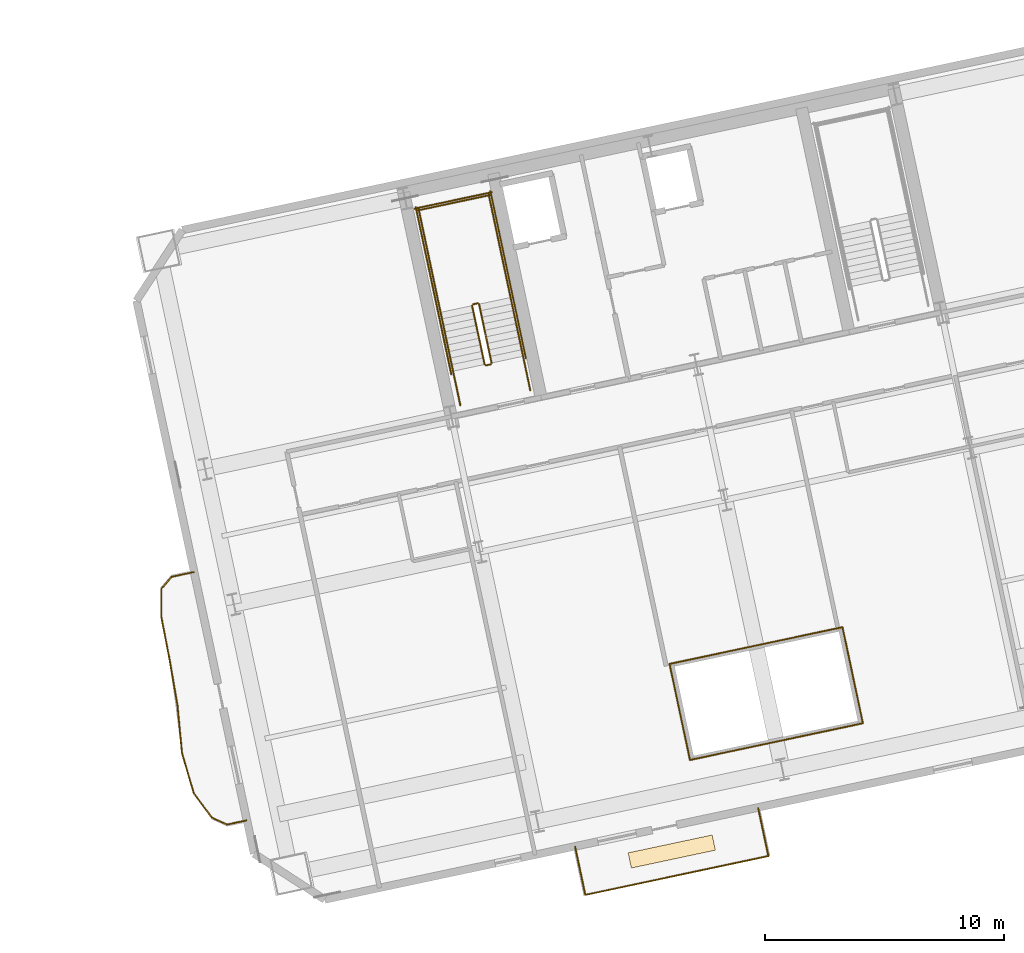
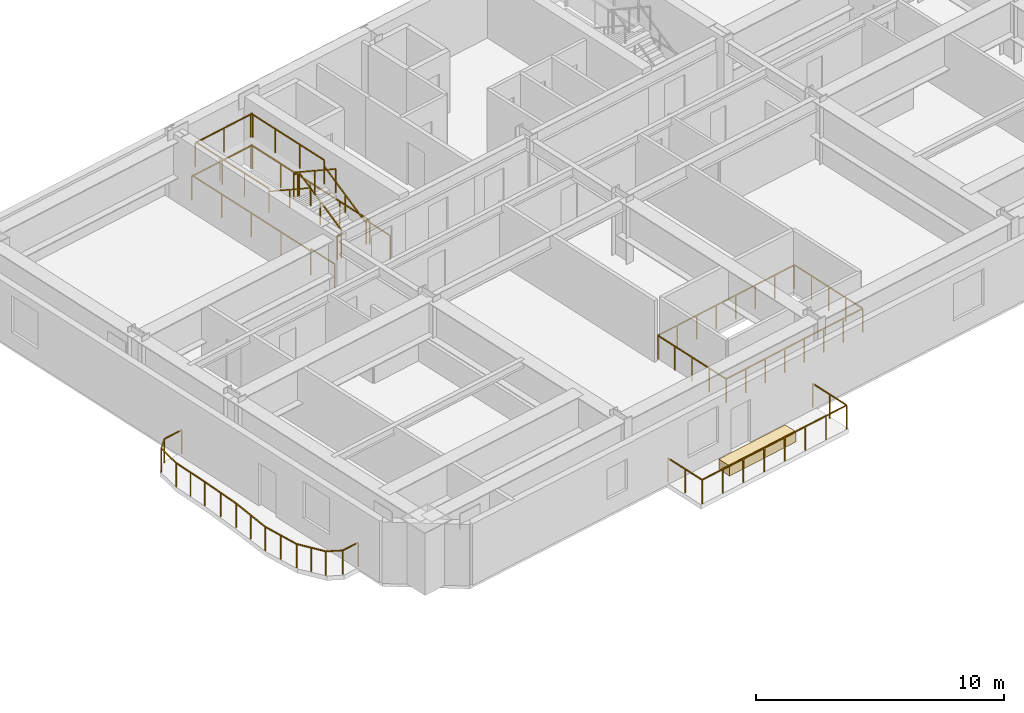
# One storey, part 15 of 16: 31 railings, 1 covering.
"""IFC4 building model written with IfcOpenShell, lengths in metres."""

from ifc_helpers import new_model, si_unit, direction, frame, origin, origin_2d, place, context, subcontext, project, spatial, rectangle, extrude, material, layer, layer_set, type_object, element, save


model = new_model("IFC4")

# Units and contexts
model_context = context("Model", 3, precision=1e-05, world=origin(), true_north=direction((0.0, 1.0)))
body_context = subcontext(model_context, "Body", "Model", "MODEL_VIEW")
ifc_project = project(units=[si_unit("LENGTHUNIT", "METRE"), si_unit("AREAUNIT", "SQUARE_METRE"), si_unit("VOLUMEUNIT", "CUBIC_METRE"), si_unit("PLANEANGLEUNIT", "RADIAN"), si_unit("MASSUNIT", "GRAM", prefix="KILO")], contexts=[model_context])

# Site, building, storey
site_placement = place(None, origin())
site = spatial("IfcSite", under=ifc_project, at=site_placement, CompositionType="ELEMENT")
building_placement = place(site_placement, origin())
building = spatial("IfcBuilding", under=site, at=building_placement, Name="Haevon Station Towers", CompositionType="ELEMENT")
storey_placement = place(building_placement, frame((0.0, 0.0, 90.0)))
storey = spatial("IfcBuildingStorey", under=building, at=storey_placement, Name="L23", CompositionType="ELEMENT", Elevation=90.0)

# Railings
ifc_material_1 = material(Name="Steel S355", Category="steel")
railing_type_1 = type_object("IfcRailingType", Name="BAL-ATR1200", PredefinedType="BALUSTRADE", material=ifc_material_1)
railing_1_placement = place(storey_placement, frame((108.758544921875, 23.050048828125, 0.0)))
element("IfcRailing", 1, at=railing_1_placement, inside=storey, type_object=railing_type_1, Name="L23 Atrium Void Balustrade 1", PredefinedType="BALUSTRADE", context=body_context, shape_type="SweptSolid", body=[
    extrude(rectangle(XDim=0.048095703125, YDim=0.048095703125, at=origin_2d()), frame((0.0, 0.0, 1.17578125), z_axis=(0.978148717371, 0.207906437384, 0.0), x_axis=(-0.207906437384, 0.978148717371, 0.0)), (0.0, 0.0, 1.0), 7.40966796875),
    extrude(rectangle(XDim=0.0419921875, YDim=0.0419921875, at=origin_2d()), origin(), (0.0, 0.0, 1.0), 1.15185546875),
    extrude(rectangle(XDim=0.0419921875, YDim=0.0419921875, at=origin_2d()), frame((1.035400390625, 0.219970703125, 0.0)), (0.0, 0.0, 1.0), 1.15185546875),
    extrude(rectangle(XDim=0.0419921875, YDim=0.0419921875, at=origin_2d()), frame((2.07080078125, 0.440185546875, 0.0)), (0.0, 0.0, 1.0), 1.15185546875),
    extrude(rectangle(XDim=0.0419921875, YDim=0.0419921875, at=origin_2d()), frame((3.106201171875, 0.66015625, 0.0)), (0.0, 0.0, 1.0), 1.15185546875),
    extrude(rectangle(XDim=0.0419921875, YDim=0.0419921875, at=origin_2d()), frame((4.1416015625, 0.88037109375, 0.0)), (0.0, 0.0, 1.0), 1.15185546875),
    extrude(rectangle(XDim=0.0419921875, YDim=0.0419921875, at=origin_2d()), frame((5.177001953125, 1.100341796875, 0.0)), (0.0, 0.0, 1.0), 1.15185546875),
    extrude(rectangle(XDim=0.0419921875, YDim=0.0419921875, at=origin_2d()), frame((6.21240234375, 1.320556640625, 0.0)), (0.0, 0.0, 1.0), 1.15185546875),
    extrude(rectangle(XDim=0.0419921875, YDim=0.0419921875, at=origin_2d()), frame((7.247802734375, 1.54052734375, 0.0)), (0.0, 0.0, 1.0), 1.15185546875),
])
railing_2_placement = place(storey_placement, frame((116.00634765625, 24.590576171875, 0.0)))
element("IfcRailing", 2, at=railing_2_placement, inside=storey, type_object=railing_type_1, Name="L23 Atrium Void Balustrade 2", PredefinedType="BALUSTRADE", context=body_context, shape_type="SweptSolid", body=[
    extrude(rectangle(XDim=0.048095703125, YDim=0.048095703125, at=origin_2d()), frame((0.0, 0.0, 1.17578125), z_axis=(-0.207928976297, 0.978143926432, 0.0), x_axis=(-0.978143926432, -0.207928976297, 0.0)), (0.0, 0.0, 1.0), 4.11669921875),
    extrude(rectangle(XDim=0.0419921875, YDim=0.0419921875, at=origin_2d()), origin(), (0.0, 0.0, 1.0), 1.15185546875),
    extrude(rectangle(XDim=0.0419921875, YDim=0.0419921875, at=origin_2d()), frame((-0.2138671875, 1.006591796875, 0.0)), (0.0, 0.0, 1.0), 1.15185546875),
    extrude(rectangle(XDim=0.0419921875, YDim=0.0419921875, at=origin_2d()), frame((-0.427978515625, 2.01318359375, 0.0)), (0.0, 0.0, 1.0), 1.15185546875),
    extrude(rectangle(XDim=0.0419921875, YDim=0.0419921875, at=origin_2d()), frame((-0.64208984375, 3.02001953125, 0.0)), (0.0, 0.0, 1.0), 1.15185546875),
    extrude(rectangle(XDim=0.0419921875, YDim=0.0419921875, at=origin_2d()), frame((-0.85595703125, 4.026611328125, 0.0)), (0.0, 0.0, 1.0), 1.15185546875),
])
railing_3_placement = place(storey_placement, frame((115.150390625, 28.6171875, 0.0)))
element("IfcRailing", 3, at=railing_3_placement, inside=storey, type_object=railing_type_1, Name="L23 Atrium Void Balustrade 3", PredefinedType="BALUSTRADE", context=body_context, shape_type="SweptSolid", body=[
    extrude(rectangle(XDim=0.048095703125, YDim=0.048095703125, at=origin_2d()), frame((0.0, 0.0, 1.17578125), z_axis=(-0.978148717371, -0.207906437384, 0.0), x_axis=(0.207906437384, -0.978148717371, 0.0)), (0.0, 0.0, 1.0), 7.40966796875),
    extrude(rectangle(XDim=0.0419921875, YDim=0.0419921875, at=origin_2d()), origin(), (0.0, 0.0, 1.0), 1.15185546875),
    extrude(rectangle(XDim=0.0419921875, YDim=0.0419921875, at=origin_2d()), frame((-1.035400390625, -0.219970703125, 0.0)), (0.0, 0.0, 1.0), 1.15185546875),
    extrude(rectangle(XDim=0.0419921875, YDim=0.0419921875, at=origin_2d()), frame((-2.07080078125, -0.440185546875, 0.0)), (0.0, 0.0, 1.0), 1.15185546875),
    extrude(rectangle(XDim=0.0419921875, YDim=0.0419921875, at=origin_2d()), frame((-3.106201171875, -0.66015625, 0.0)), (0.0, 0.0, 1.0), 1.15185546875),
    extrude(rectangle(XDim=0.0419921875, YDim=0.0419921875, at=origin_2d()), frame((-4.1416015625, -0.88037109375, 0.0)), (0.0, 0.0, 1.0), 1.15185546875),
    extrude(rectangle(XDim=0.0419921875, YDim=0.0419921875, at=origin_2d()), frame((-5.177001953125, -1.100341796875, 0.0)), (0.0, 0.0, 1.0), 1.15185546875),
    extrude(rectangle(XDim=0.0419921875, YDim=0.0419921875, at=origin_2d()), frame((-6.21240234375, -1.320556640625, 0.0)), (0.0, 0.0, 1.0), 1.15185546875),
    extrude(rectangle(XDim=0.0419921875, YDim=0.0419921875, at=origin_2d()), frame((-7.247802734375, -1.54052734375, 0.0)), (0.0, 0.0, 1.0), 1.15185546875),
])
railing_4_placement = place(storey_placement, frame((107.902587890625, 27.07666015625, 0.0)))
element("IfcRailing", 4, at=railing_4_placement, inside=storey, type_object=railing_type_1, Name="L23 Atrium Void Balustrade 4", PredefinedType="BALUSTRADE", context=body_context, shape_type="SweptSolid", body=[
    extrude(rectangle(XDim=0.048095703125, YDim=0.048095703125, at=origin_2d()), frame((0.0, 0.0, 1.17578125), z_axis=(0.207928976297, -0.978143926432, 0.0), x_axis=(0.978143926432, 0.207928976297, 0.0)), (0.0, 0.0, 1.0), 4.11669921875),
    extrude(rectangle(XDim=0.0419921875, YDim=0.0419921875, at=origin_2d()), origin(), (0.0, 0.0, 1.0), 1.15185546875),
    extrude(rectangle(XDim=0.0419921875, YDim=0.0419921875, at=origin_2d()), frame((0.2138671875, -1.006591796875, 0.0)), (0.0, 0.0, 1.0), 1.15185546875),
    extrude(rectangle(XDim=0.0419921875, YDim=0.0419921875, at=origin_2d()), frame((0.427978515625, -2.01318359375, 0.0)), (0.0, 0.0, 1.0), 1.15185546875),
    extrude(rectangle(XDim=0.0419921875, YDim=0.0419921875, at=origin_2d()), frame((0.64208984375, -3.02001953125, 0.0)), (0.0, 0.0, 1.0), 1.15185546875),
    extrude(rectangle(XDim=0.0419921875, YDim=0.0419921875, at=origin_2d()), frame((0.85595703125, -4.026611328125, 0.0)), (0.0, 0.0, 1.0), 1.15185546875),
])
railing_type_2 = type_object("IfcRailingType", Name="GRD-EXT1200", PredefinedType="GUARDRAIL", material=ifc_material_1)
railing_5_placement = place(storey_placement, frame((87.947509765625, 30.92578125, 0.0)))
element("IfcRailing", 5, at=railing_5_placement, inside=storey, type_object=railing_type_2, Name="L23 Perimeter Guardrail 1", PredefinedType="GUARDRAIL", context=body_context, shape_type="SweptSolid", body=[
    extrude(rectangle(XDim=0.048095703125, YDim=0.048095703125, at=origin_2d()), frame((0.0, 0.0, 1.17578125), z_axis=(-0.977684892297, -0.210076774952, 0.0), x_axis=(0.210076774952, -0.977684892297, 0.0)), (0.0, 0.0, 1.0), 0.943603515625),
    extrude(rectangle(XDim=0.0419921875, YDim=0.0419921875, at=origin_2d()), origin(), (0.0, 0.0, 1.0), 1.15185546875),
    extrude(rectangle(XDim=0.0419921875, YDim=0.0419921875, at=origin_2d()), frame((-0.922607421875, -0.1982421875, 0.0)), (0.0, 0.0, 1.0), 1.15185546875),
])
railing_6_placement = place(storey_placement, frame((87.02490234375, 30.7275390625, 0.0)))
element("IfcRailing", 6, at=railing_6_placement, inside=storey, type_object=railing_type_2, Name="L23 Perimeter Guardrail 2", PredefinedType="GUARDRAIL", context=body_context, shape_type="SweptSolid", body=[
    extrude(rectangle(XDim=0.048095703125, YDim=0.048095703125, at=origin_2d()), frame((0.0, 0.0, 1.17578125), z_axis=(-0.647469407295, -0.762091442424, 0.0), x_axis=(0.762091442424, -0.647469407295, 0.0)), (0.0, 0.0, 1.0), 0.673095703125),
    extrude(rectangle(XDim=0.0419921875, YDim=0.0419921875, at=origin_2d()), origin(), (0.0, 0.0, 1.0), 1.15185546875),
    extrude(rectangle(XDim=0.0419921875, YDim=0.0419921875, at=origin_2d()), frame((-0.435791015625, -0.512939453125, 0.0)), (0.0, 0.0, 1.0), 1.15185546875),
])
railing_7_placement = place(storey_placement, frame((86.589111328125, 30.214599609375, 0.0)))
element("IfcRailing", 7, at=railing_7_placement, inside=storey, type_object=railing_type_2, Name="L23 Perimeter Guardrail 3", PredefinedType="GUARDRAIL", context=body_context, shape_type="SweptSolid", body=[
    extrude(rectangle(XDim=0.048095703125, YDim=0.048095703125, at=origin_2d()), frame((0.0, 0.0, 1.17578125), z_axis=(0.008178013163, -0.999966559491, 0.0), x_axis=(0.999966559491, 0.008178013163, 0.0)), (0.0, 0.0, 1.0), 1.194091796875),
    extrude(rectangle(XDim=0.0419921875, YDim=0.0419921875, at=origin_2d()), origin(), (0.0, 0.0, 1.0), 1.15185546875),
    extrude(rectangle(XDim=0.0419921875, YDim=0.0419921875, at=origin_2d()), frame((0.009765625, -1.194091796875, 0.0)), (0.0, 0.0, 1.0), 1.15185546875),
])
railing_8_placement = place(storey_placement, frame((86.598876953125, 29.0205078125, 0.0)))
element("IfcRailing", 8, at=railing_8_placement, inside=storey, type_object=railing_type_2, Name="L23 Perimeter Guardrail 4", PredefinedType="GUARDRAIL", context=body_context, shape_type="SweptSolid", body=[
    extrude(rectangle(XDim=0.048095703125, YDim=0.048095703125, at=origin_2d()), frame((0.0, 0.0, 1.17578125), z_axis=(0.190641955545, -0.981659637953, 0.0), x_axis=(0.981659637953, 0.190641955545, 0.0)), (0.0, 0.0, 1.0), 1.750732421875),
    extrude(rectangle(XDim=0.0419921875, YDim=0.0419921875, at=origin_2d()), origin(), (0.0, 0.0, 1.0), 1.15185546875),
    extrude(rectangle(XDim=0.0419921875, YDim=0.0419921875, at=origin_2d()), frame((0.1669921875, -0.859375, 0.0)), (0.0, 0.0, 1.0), 1.15185546875),
    extrude(rectangle(XDim=0.0419921875, YDim=0.0419921875, at=origin_2d()), frame((0.333740234375, -1.718505859375, 0.0)), (0.0, 0.0, 1.0), 1.15185546875),
])
railing_9_placement = place(storey_placement, frame((86.9326171875, 27.302001953125, 0.0)))
element("IfcRailing", 9, at=railing_9_placement, inside=storey, type_object=railing_type_2, Name="L23 Perimeter Guardrail 5", PredefinedType="GUARDRAIL", context=body_context, shape_type="SweptSolid", body=[
    extrude(rectangle(XDim=0.048095703125, YDim=0.048095703125, at=origin_2d()), frame((0.0, 0.0, 1.17578125), z_axis=(0.170523108989, -0.985353677266, 0.0), x_axis=(0.985353677266, 0.170523108989, 0.0)), (0.0, 0.0, 1.0), 1.989990234375),
    extrude(rectangle(XDim=0.0419921875, YDim=0.0419921875, at=origin_2d()), origin(), (0.0, 0.0, 1.0), 1.15185546875),
    extrude(rectangle(XDim=0.0419921875, YDim=0.0419921875, at=origin_2d()), frame((0.169677734375, -0.98046875, 0.0)), (0.0, 0.0, 1.0), 1.15185546875),
    extrude(rectangle(XDim=0.0419921875, YDim=0.0419921875, at=origin_2d()), frame((0.33935546875, -1.9609375, 0.0)), (0.0, 0.0, 1.0), 1.15185546875),
])
railing_10_placement = place(storey_placement, frame((87.27197265625, 25.341064453125, 0.0)))
element("IfcRailing", 10, at=railing_10_placement, inside=storey, type_object=railing_type_2, Name="L23 Perimeter Guardrail 6", PredefinedType="GUARDRAIL", context=body_context, shape_type="SweptSolid", body=[
    extrude(rectangle(XDim=0.048095703125, YDim=0.048095703125, at=origin_2d()), frame((0.0, 0.0, 1.17578125), z_axis=(0.094113855165, -0.995561440729, 0.0), x_axis=(0.995561440729, 0.094113855165, 0.0)), (0.0, 0.0, 1.0), 2.005126953125),
    extrude(rectangle(XDim=0.0419921875, YDim=0.0419921875, at=origin_2d()), origin(), (0.0, 0.0, 1.0), 1.15185546875),
    extrude(rectangle(XDim=0.0419921875, YDim=0.0419921875, at=origin_2d()), frame((0.09423828125, -0.998046875, 0.0)), (0.0, 0.0, 1.0), 1.15185546875),
    extrude(rectangle(XDim=0.0419921875, YDim=0.0419921875, at=origin_2d()), frame((0.188720703125, -1.996337890625, 0.0)), (0.0, 0.0, 1.0), 1.15185546875),
])
railing_11_placement = place(storey_placement, frame((87.460693359375, 23.3447265625, 0.0)))
element("IfcRailing", 11, at=railing_11_placement, inside=storey, type_object=railing_type_2, Name="L23 Perimeter Guardrail 7", PredefinedType="GUARDRAIL", context=body_context, shape_type="SweptSolid", body=[
    extrude(rectangle(XDim=0.048095703125, YDim=0.048095703125, at=origin_2d()), frame((0.0, 0.0, 1.17578125), z_axis=(0.280310277148, -0.959909448086, 0.0), x_axis=(0.959909448086, 0.280310277148, 0.0)), (0.0, 0.0, 1.0), 1.75244140625),
    extrude(rectangle(XDim=0.0419921875, YDim=0.0419921875, at=origin_2d()), origin(), (0.0, 0.0, 1.0), 1.15185546875),
    extrude(rectangle(XDim=0.0419921875, YDim=0.0419921875, at=origin_2d()), frame((0.24560546875, -0.841064453125, 0.0)), (0.0, 0.0, 1.0), 1.15185546875),
    extrude(rectangle(XDim=0.0419921875, YDim=0.0419921875, at=origin_2d()), frame((0.4912109375, -1.68212890625, 0.0)), (0.0, 0.0, 1.0), 1.15185546875),
])
railing_12_placement = place(storey_placement, frame((87.951904296875, 21.66259765625, 0.0)))
element("IfcRailing", 12, at=railing_12_placement, inside=storey, type_object=railing_type_2, Name="L23 Perimeter Guardrail 8", PredefinedType="GUARDRAIL", context=body_context, shape_type="SweptSolid", body=[
    extrude(rectangle(XDim=0.048095703125, YDim=0.048095703125, at=origin_2d()), frame((0.0, 0.0, 1.17578125), z_axis=(0.5940543794, -0.804424884197, 0.0), x_axis=(0.804424884197, 0.5940543794, 0.0)), (0.0, 0.0, 1.0), 1.28466796875),
    extrude(rectangle(XDim=0.0419921875, YDim=0.0419921875, at=origin_2d()), origin(), (0.0, 0.0, 1.0), 1.15185546875),
    extrude(rectangle(XDim=0.0419921875, YDim=0.0419921875, at=origin_2d()), frame((0.381591796875, -0.5166015625, 0.0)), (0.0, 0.0, 1.0), 1.15185546875),
    extrude(rectangle(XDim=0.0419921875, YDim=0.0419921875, at=origin_2d()), frame((0.76318359375, -1.033447265625, 0.0)), (0.0, 0.0, 1.0), 1.15185546875),
])
railing_13_placement = place(storey_placement, frame((88.715087890625, 20.629150390625, 0.0)))
element("IfcRailing", 13, at=railing_13_placement, inside=storey, type_object=railing_type_2, Name="L23 Perimeter Guardrail 9", PredefinedType="GUARDRAIL", context=body_context, shape_type="SweptSolid", body=[
    extrude(rectangle(XDim=0.048095703125, YDim=0.048095703125, at=origin_2d()), frame((0.0, 0.0, 1.17578125), z_axis=(0.908560452595, -0.41775340092, 0.0), x_axis=(0.41775340092, 0.908560452595, 0.0)), (0.0, 0.0, 1.0), 0.6884765625),
    extrude(rectangle(XDim=0.0419921875, YDim=0.0419921875, at=origin_2d()), origin(), (0.0, 0.0, 1.0), 1.15185546875),
    extrude(rectangle(XDim=0.0419921875, YDim=0.0419921875, at=origin_2d()), frame((0.62548828125, -0.28759765625, 0.0)), (0.0, 0.0, 1.0), 1.15185546875),
])
railing_14_placement = place(storey_placement, frame((89.340576171875, 20.341552734375, 0.0)))
element("IfcRailing", 14, at=railing_14_placement, inside=storey, type_object=railing_type_2, Name="L23 Perimeter Guardrail 10", PredefinedType="GUARDRAIL", context=body_context, shape_type="SweptSolid", body=[
    extrude(rectangle(XDim=0.048095703125, YDim=0.048095703125, at=origin_2d()), frame((0.0, 0.0, 1.17578125), z_axis=(0.978617737227, 0.20568744343, 0.0), x_axis=(-0.20568744343, 0.978617737227, 0.0)), (0.0, 0.0, 1.0), 0.837890625),
    extrude(rectangle(XDim=0.0419921875, YDim=0.0419921875, at=origin_2d()), origin(), (0.0, 0.0, 1.0), 1.15185546875),
    extrude(rectangle(XDim=0.0419921875, YDim=0.0419921875, at=origin_2d()), frame((0.820068359375, 0.17236328125, 0.0)), (0.0, 0.0, 1.0), 1.15185546875),
])
railing_15_placement = place(storey_placement, frame((104.37109375, 17.392822265625, 0.0)))
element("IfcRailing", 15, at=railing_15_placement, inside=storey, type_object=railing_type_2, Name="L23 Perimeter Guardrail 1", PredefinedType="GUARDRAIL", context=body_context, shape_type="SweptSolid", body=[
    extrude(rectangle(XDim=0.048095703125, YDim=0.048095703125, at=origin_2d()), frame((0.0, 0.0, 1.17578125), z_axis=(0.978148093399, 0.207909372996, 0.0), x_axis=(-0.207909372996, 0.978148093399, 0.0)), (0.0, 0.0, 1.0), 7.84521484375),
    extrude(rectangle(XDim=0.0419921875, YDim=0.0419921875, at=origin_2d()), origin(), (0.0, 0.0, 1.0), 1.15185546875),
    extrude(rectangle(XDim=0.0419921875, YDim=0.0419921875, at=origin_2d()), frame((1.09619140625, 0.23291015625, 0.0)), (0.0, 0.0, 1.0), 1.15185546875),
    extrude(rectangle(XDim=0.0419921875, YDim=0.0419921875, at=origin_2d()), frame((2.192626953125, 0.466064453125, 0.0)), (0.0, 0.0, 1.0), 1.15185546875),
    extrude(rectangle(XDim=0.0419921875, YDim=0.0419921875, at=origin_2d()), frame((3.288818359375, 0.698974609375, 0.0)), (0.0, 0.0, 1.0), 1.15185546875),
    extrude(rectangle(XDim=0.0419921875, YDim=0.0419921875, at=origin_2d()), frame((4.385009765625, 0.93212890625, 0.0)), (0.0, 0.0, 1.0), 1.15185546875),
    extrude(rectangle(XDim=0.0419921875, YDim=0.0419921875, at=origin_2d()), frame((5.481201171875, 1.1650390625, 0.0)), (0.0, 0.0, 1.0), 1.15185546875),
    extrude(rectangle(XDim=0.0419921875, YDim=0.0419921875, at=origin_2d()), frame((6.57763671875, 1.398193359375, 0.0)), (0.0, 0.0, 1.0), 1.15185546875),
    extrude(rectangle(XDim=0.0419921875, YDim=0.0419921875, at=origin_2d()), frame((7.673828125, 1.631103515625, 0.0)), (0.0, 0.0, 1.0), 1.15185546875),
])
railing_16_placement = place(storey_placement, frame((112.044921875, 19.02392578125, 0.0)))
element("IfcRailing", 16, at=railing_16_placement, inside=storey, type_object=railing_type_2, Name="L23 Perimeter Guardrail 2", PredefinedType="GUARDRAIL", context=body_context, shape_type="SweptSolid", body=[
    extrude(rectangle(XDim=0.048095703125, YDim=0.048095703125, at=origin_2d()), frame((0.0, 0.0, 1.17578125), z_axis=(-0.207962507169, 0.978136798005, 0.0), x_axis=(-0.978136798005, -0.207962507169, 0.0)), (0.0, 0.0, 1.0), 2.054443359375),
    extrude(rectangle(XDim=0.0419921875, YDim=0.0419921875, at=origin_2d()), origin(), (0.0, 0.0, 1.0), 1.15185546875),
    extrude(rectangle(XDim=0.0419921875, YDim=0.0419921875, at=origin_2d()), frame((-0.213623046875, 1.0048828125, 0.0)), (0.0, 0.0, 1.0), 1.15185546875),
    extrude(rectangle(XDim=0.0419921875, YDim=0.0419921875, at=origin_2d()), frame((-0.42724609375, 2.009521484375, 0.0)), (0.0, 0.0, 1.0), 1.15185546875),
])
railing_17_placement = place(storey_placement, frame((103.94384765625, 19.40234375, 0.0)))
element("IfcRailing", 17, at=railing_17_placement, inside=storey, type_object=railing_type_2, Name="L23 Perimeter Guardrail 3", PredefinedType="GUARDRAIL", context=body_context, shape_type="SweptSolid", body=[
    extrude(rectangle(XDim=0.048095703125, YDim=0.048095703125, at=origin_2d()), frame((0.0, 0.0, 1.17578125), z_axis=(0.207962507169, -0.978136798005, 0.0), x_axis=(0.978136798005, 0.207962507169, 0.0)), (0.0, 0.0, 1.0), 2.054443359375),
    extrude(rectangle(XDim=0.0419921875, YDim=0.0419921875, at=origin_2d()), origin(), (0.0, 0.0, 1.0), 1.15185546875),
    extrude(rectangle(XDim=0.0419921875, YDim=0.0419921875, at=origin_2d()), frame((0.213623046875, -1.0048828125, 0.0)), (0.0, 0.0, 1.0), 1.15185546875),
    extrude(rectangle(XDim=0.0419921875, YDim=0.0419921875, at=origin_2d()), frame((0.42724609375, -2.009521484375, 0.0)), (0.0, 0.0, 1.0), 1.15185546875),
])
railing_type_3 = type_object("IfcRailingType", Name="GRD-STR1200", PredefinedType="GUARDRAIL", material=ifc_material_1)
railing_18_placement = place(storey_placement, frame((100.44140625, 39.69287109375, 0.1650390625)))
element("IfcRailing", 18, at=railing_18_placement, inside=storey, type_object=railing_type_3, Name="L23 ST3 Stair Guard 1", PredefinedType="GUARDRAIL", context=body_context, shape_type="SweptSolid", body=[
    extrude(rectangle(XDim=0.048095703125, YDim=0.048095703125, at=origin_2d()), frame((0.0, 0.0, 1.17578125), z_axis=(-0.179128856099, 0.842723639875, 0.507670877349), x_axis=(-0.978147030254, -0.207914374695, 0.0)), (0.0, 0.0, 1.0), 2.9248046875),
    extrude(rectangle(XDim=0.0419921875, YDim=0.0419921875, at=origin_2d()), origin(), (0.0, 0.0, 1.0), 1.15185546875),
    extrude(rectangle(XDim=0.0419921875, YDim=0.0419921875, at=origin_2d()), frame((-0.261962890625, 1.232421875, 0.742431640625)), (0.0, 0.0, 1.0), 1.15185546875),
    extrude(rectangle(XDim=0.0419921875, YDim=0.0419921875, at=origin_2d()), frame((-0.52392578125, 2.46484375, 1.48486328125)), (0.0, 0.0, 1.0), 1.15185546875),
])
railing_19_placement = place(storey_placement, frame((99.858154296875, 42.1962890625, 1.64990234375)))
element("IfcRailing", 19, at=railing_19_placement, inside=storey, type_object=railing_type_3, Name="L23 ST3 Stair Guard 2", PredefinedType="GUARDRAIL", context=body_context, shape_type="SweptSolid", body=[
    extrude(rectangle(XDim=0.048095703125, YDim=0.048095703125, at=origin_2d()), frame((0.0, 0.0, 1.17578125), z_axis=(-0.977962931203, -0.208778603291, 0.0), x_axis=(0.208778603291, -0.977962931203, 0.0)), (0.0, 0.0, 1.0), 0.199951171875),
    extrude(rectangle(XDim=0.0419921875, YDim=0.0419921875, at=origin_2d()), origin(), (0.0, 0.0, 1.0), 1.15185546875),
    extrude(rectangle(XDim=0.0419921875, YDim=0.0419921875, at=origin_2d()), frame((-0.195556640625, -0.041748046875, 0.0)), (0.0, 0.0, 1.0), 1.15185546875),
])
railing_20_placement = place(storey_placement, frame((101.238037109375, 42.4384765625, 1.64990234375)))
element("IfcRailing", 20, at=railing_20_placement, inside=storey, type_object=railing_type_3, Name="L23 ST3 Stair Guard 3", PredefinedType="GUARDRAIL", context=body_context, shape_type="SweptSolid", body=[
    extrude(rectangle(XDim=0.048095703125, YDim=0.048095703125, at=origin_2d()), frame((0.0, 0.0, 1.17578125), z_axis=(-0.20794048909, 0.978141479029, 0.0), x_axis=(-0.978141479029, -0.20794048909, 0.0)), (0.0, 0.0, 1.0), 4.429931640625),
    extrude(rectangle(XDim=0.0419921875, YDim=0.0419921875, at=origin_2d()), origin(), (0.0, 0.0, 1.0), 1.15185546875),
    extrude(rectangle(XDim=0.0419921875, YDim=0.0419921875, at=origin_2d()), frame((-0.30712890625, 1.4443359375, 0.0)), (0.0, 0.0, 1.0), 1.15185546875),
    extrude(rectangle(XDim=0.0419921875, YDim=0.0419921875, at=origin_2d()), frame((-0.614013671875, 2.888671875, 0.0)), (0.0, 0.0, 1.0), 1.15185546875),
    extrude(rectangle(XDim=0.0419921875, YDim=0.0419921875, at=origin_2d()), frame((-0.921142578125, 4.3330078125, 0.0)), (0.0, 0.0, 1.0), 1.15185546875),
])
railing_21_placement = place(storey_placement, frame((98.303466796875, 41.814697265625, 1.64990234375)))
element("IfcRailing", 21, at=railing_21_placement, inside=storey, type_object=railing_type_3, Name="L23 ST3 Stair Guard 4", PredefinedType="GUARDRAIL", context=body_context, shape_type="SweptSolid", body=[
    extrude(rectangle(XDim=0.048095703125, YDim=0.048095703125, at=origin_2d()), frame((0.0, 0.0, 1.17578125), z_axis=(-0.207876551949, 0.978155069071, 0.0), x_axis=(-0.978155069071, -0.207876551949, 0.0)), (0.0, 0.0, 1.0), 4.429931640625),
    extrude(rectangle(XDim=0.0419921875, YDim=0.0419921875, at=origin_2d()), origin(), (0.0, 0.0, 1.0), 1.15185546875),
    extrude(rectangle(XDim=0.0419921875, YDim=0.0419921875, at=origin_2d()), frame((-0.306884765625, 1.4443359375, 0.0)), (0.0, 0.0, 1.0), 1.15185546875),
    extrude(rectangle(XDim=0.0419921875, YDim=0.0419921875, at=origin_2d()), frame((-0.614013671875, 2.888916015625, 0.0)), (0.0, 0.0, 1.0), 1.15185546875),
    extrude(rectangle(XDim=0.0419921875, YDim=0.0419921875, at=origin_2d()), frame((-0.9208984375, 4.333251953125, 0.0)), (0.0, 0.0, 1.0), 1.15185546875),
])
railing_22_placement = place(storey_placement, frame((100.376220703125, 46.733154296875, 1.64990234375)))
element("IfcRailing", 22, at=railing_22_placement, inside=storey, type_object=railing_type_3, Name="L23 ST3 Stair Guard 5", PredefinedType="GUARDRAIL", context=body_context, shape_type="SweptSolid", body=[
    extrude(rectangle(XDim=0.048095703125, YDim=0.048095703125, at=origin_2d()), frame((0.0, 0.0, 1.17578125), z_axis=(-0.978146839882, -0.207915270313, 0.0), x_axis=(0.207915270313, -0.978146839882, 0.0)), (0.0, 0.0, 1.0), 3.099853515625),
    extrude(rectangle(XDim=0.0419921875, YDim=0.0419921875, at=origin_2d()), origin(), (0.0, 0.0, 1.0), 1.15185546875),
    extrude(rectangle(XDim=0.0419921875, YDim=0.0419921875, at=origin_2d()), frame((-1.51611328125, -0.322265625, 0.0)), (0.0, 0.0, 1.0), 1.15185546875),
    extrude(rectangle(XDim=0.0419921875, YDim=0.0419921875, at=origin_2d()), frame((-3.0322265625, -0.64453125, 0.0)), (0.0, 0.0, 1.0), 1.15185546875),
])
railing_23_placement = place(storey_placement, frame((99.6240234375, 42.09521484375, 1.81494140625)))
element("IfcRailing", 23, at=railing_23_placement, inside=storey, type_object=railing_type_3, Name="L23 ST3 Stair Guard 6", PredefinedType="GUARDRAIL", context=body_context, shape_type="SweptSolid", body=[
    extrude(rectangle(XDim=0.048095703125, YDim=0.048095703125, at=origin_2d()), frame((0.0, 0.0, 1.17578125), z_axis=(0.179121265225, -0.842687928106, 0.507732831485), x_axis=(0.978147030254, 0.207914374695, 0.0)), (0.0, 0.0, 1.0), 2.925048828125),
    extrude(rectangle(XDim=0.0419921875, YDim=0.0419921875, at=origin_2d()), origin(), (0.0, 0.0, 1.0), 1.15185546875),
    extrude(rectangle(XDim=0.0419921875, YDim=0.0419921875, at=origin_2d()), frame((0.261962890625, -1.232421875, 0.74267578125)), (0.0, 0.0, 1.0), 1.15185546875),
    extrude(rectangle(XDim=0.0419921875, YDim=0.0419921875, at=origin_2d()), frame((0.52392578125, -2.46484375, 1.485107421875)), (0.0, 0.0, 1.0), 1.15185546875),
])
railing_24_placement = place(storey_placement, frame((100.40283203125, 39.633544921875, 0.0)))
element("IfcRailing", 24, at=railing_24_placement, inside=storey, type_object=railing_type_3, Name="L23 ST3 Stair Guard 7", PredefinedType="GUARDRAIL", context=body_context, shape_type="SweptSolid", body=[
    extrude(rectangle(XDim=0.048095703125, YDim=0.048095703125, at=origin_2d()), frame((0.0, 0.0, 1.17578125), z_axis=(-0.977962931203, -0.208778603291, 0.0), x_axis=(0.208778603291, -0.977962931203, 0.0)), (0.0, 0.0, 1.0), 0.199951171875),
    extrude(rectangle(XDim=0.0419921875, YDim=0.0419921875, at=origin_2d()), origin(), (0.0, 0.0, 1.0), 1.15185546875),
    extrude(rectangle(XDim=0.0419921875, YDim=0.0419921875, at=origin_2d()), frame((-0.195556640625, -0.041748046875, 0.0)), (0.0, 0.0, 1.0), 1.15185546875),
])
for number, where, name in (
    (25, (102.0634765625, 38.55517578125, 0.0), "L23 ST3 Stair Guard 8"),
    (26, (99.12890625, 37.931396484375, 0.0), "L23 ST3 Stair Guard 9"),
):
    element("IfcRailing", number, at=place(storey_placement, frame(where)), inside=storey, type_object=railing_type_3, Name=name, PredefinedType="GUARDRAIL", context=body_context, shape_type="SweptSolid", body=[
        extrude(rectangle(XDim=0.048095703125, YDim=0.048095703125, at=origin_2d()), frame((0.0, 0.0, 1.17578125), z_axis=(-0.207953405961, 0.978138732977, 0.0), x_axis=(-0.978138732977, -0.207953405961, 0.0)), (0.0, 0.0, 1.0), 1.449951171875),
        extrude(rectangle(XDim=0.0419921875, YDim=0.0419921875, at=origin_2d()), origin(), (0.0, 0.0, 1.0), 1.15185546875),
        extrude(rectangle(XDim=0.0419921875, YDim=0.0419921875, at=origin_2d()), frame((-0.301513671875, 1.418212890625, 0.0)), (0.0, 0.0, 1.0), 1.15185546875),
    ])
railing_25_placement = place(storey_placement, frame((101.88037109375, 39.896484375, 0.0)))
element("IfcRailing", 27, at=railing_25_placement, inside=storey, type_object=railing_type_3, Name="L23 ST3 Stair Guard 10", PredefinedType="GUARDRAIL", context=body_context, shape_type="SweptSolid", body=[
    extrude(rectangle(XDim=0.048095703125, YDim=0.048095703125, at=origin_2d()), frame((0.0, 0.0, 1.17578125), z_axis=(-0.207882442208, 0.978153817261, 0.0), x_axis=(-0.978153817261, -0.207882442208, 0.0)), (0.0, 0.0, 1.0), 7.14990234375),
    extrude(rectangle(XDim=0.0419921875, YDim=0.0419921875, at=origin_2d()), origin(), (0.0, 0.0, 1.0), 1.15185546875),
    extrude(rectangle(XDim=0.0419921875, YDim=0.0419921875, at=origin_2d()), frame((-0.37158203125, 1.74853515625, 0.0)), (0.0, 0.0, 1.0), 1.15185546875),
    extrude(rectangle(XDim=0.0419921875, YDim=0.0419921875, at=origin_2d()), frame((-0.7431640625, 3.496826171875, 0.0)), (0.0, 0.0, 1.0), 1.15185546875),
    extrude(rectangle(XDim=0.0419921875, YDim=0.0419921875, at=origin_2d()), frame((-1.11474609375, 5.2451171875, 0.0)), (0.0, 0.0, 1.0), 1.15185546875),
    extrude(rectangle(XDim=0.0419921875, YDim=0.0419921875, at=origin_2d()), frame((-1.486328125, 6.99365234375, 0.0)), (0.0, 0.0, 1.0), 1.15185546875),
])
railing_26_placement = place(storey_placement, frame((98.75048828125, 39.231201171875, 0.0)))
element("IfcRailing", 28, at=railing_26_placement, inside=storey, type_object=railing_type_3, Name="L23 ST3 Stair Guard 11", PredefinedType="GUARDRAIL", context=body_context, shape_type="SweptSolid", body=[
    extrude(rectangle(XDim=0.048095703125, YDim=0.048095703125, at=origin_2d()), frame((0.0, 0.0, 1.17578125), z_axis=(-0.207915112487, 0.978146873429, 0.0), x_axis=(-0.978146873429, -0.207915112487, 0.0)), (0.0, 0.0, 1.0), 7.14990234375),
    extrude(rectangle(XDim=0.0419921875, YDim=0.0419921875, at=origin_2d()), origin(), (0.0, 0.0, 1.0), 1.15185546875),
    extrude(rectangle(XDim=0.0419921875, YDim=0.0419921875, at=origin_2d()), frame((-0.37158203125, 1.74853515625, 0.0)), (0.0, 0.0, 1.0), 1.15185546875),
    extrude(rectangle(XDim=0.0419921875, YDim=0.0419921875, at=origin_2d()), frame((-0.7431640625, 3.496826171875, 0.0)), (0.0, 0.0, 1.0), 1.15185546875),
    extrude(rectangle(XDim=0.0419921875, YDim=0.0419921875, at=origin_2d()), frame((-1.114990234375, 5.2451171875, 0.0)), (0.0, 0.0, 1.0), 1.15185546875),
    extrude(rectangle(XDim=0.0419921875, YDim=0.0419921875, at=origin_2d()), frame((-1.486572265625, 6.99365234375, 0.0)), (0.0, 0.0, 1.0), 1.15185546875),
])
railing_27_placement = place(storey_placement, frame((100.453125, 46.8515625, 0.0)))
element("IfcRailing", 29, at=railing_27_placement, inside=storey, type_object=railing_type_3, Name="L23 ST3 Stair Guard 12", PredefinedType="GUARDRAIL", context=body_context, shape_type="SweptSolid", body=[
    extrude(rectangle(XDim=0.048095703125, YDim=0.048095703125, at=origin_2d()), frame((0.0, 0.0, 1.17578125), z_axis=(-0.978150764849, -0.207896804268, 0.0), x_axis=(0.207896804268, -0.978150764849, 0.0)), (0.0, 0.0, 1.0), 3.2998046875),
    extrude(rectangle(XDim=0.0419921875, YDim=0.0419921875, at=origin_2d()), origin(), (0.0, 0.0, 1.0), 1.15185546875),
    extrude(rectangle(XDim=0.0419921875, YDim=0.0419921875, at=origin_2d()), frame((-1.61376953125, -0.343017578125, 0.0)), (0.0, 0.0, 1.0), 1.15185546875),
    extrude(rectangle(XDim=0.0419921875, YDim=0.0419921875, at=origin_2d()), frame((-3.227783203125, -0.68603515625, 0.0)), (0.0, 0.0, 1.0), 1.15185546875),
])
railing_type_4 = type_object("IfcRailingType", Name="HND-STR900", PredefinedType="HANDRAIL", material=ifc_material_1)
railing_28_placement = place(storey_placement, frame((101.761962890625, 39.973388671875, 0.1650390625)))
element("IfcRailing", 30, at=railing_28_placement, inside=storey, type_object=railing_type_4, Name="L23 ST3 Stair Handrail 1", PredefinedType="HANDRAIL", context=body_context, shape_type="SweptSolid", body=[
    extrude(rectangle(XDim=0.048095703125, YDim=0.048095703125, at=origin_2d()), frame((0.0, 0.0, 0.8759765625), z_axis=(-0.179116256339, 0.842747828638, 0.507635168246), x_axis=(-0.978151217824, -0.207894673017, 0.0)), (0.0, 0.0, 1.0), 2.925048828125),
    extrude(rectangle(XDim=0.0419921875, YDim=0.0419921875, at=origin_2d()), origin(), (0.0, 0.0, 1.0), 0.851806640625),
    extrude(rectangle(XDim=0.0419921875, YDim=0.0419921875, at=origin_2d()), frame((-0.261962890625, 1.232421875, 0.742431640625)), (0.0, 0.0, 1.0), 0.851806640625),
    extrude(rectangle(XDim=0.0419921875, YDim=0.0419921875, at=origin_2d()), frame((-0.52392578125, 2.465087890625, 1.48486328125)), (0.0, 0.0, 1.0), 0.851806640625),
])
railing_29_placement = place(storey_placement, frame((98.303466796875, 41.814697265625, 1.81494140625)))
element("IfcRailing", 31, at=railing_29_placement, inside=storey, type_object=railing_type_4, Name="L23 ST3 Stair Handrail 2", PredefinedType="HANDRAIL", context=body_context, shape_type="SweptSolid", body=[
    extrude(rectangle(XDim=0.048095703125, YDim=0.048095703125, at=origin_2d()), frame((0.0, 0.0, 0.8759765625), z_axis=(0.179108667068, -0.842712120868, 0.50769712105), x_axis=(0.978151217824, 0.207894673017, 0.0)), (0.0, 0.0, 1.0), 2.92529296875),
    extrude(rectangle(XDim=0.0419921875, YDim=0.0419921875, at=origin_2d()), origin(), (0.0, 0.0, 1.0), 0.851806640625),
    extrude(rectangle(XDim=0.0419921875, YDim=0.0419921875, at=origin_2d()), frame((0.261962890625, -1.232421875, 0.74267578125)), (0.0, 0.0, 1.0), 0.851806640625),
    extrude(rectangle(XDim=0.0419921875, YDim=0.0419921875, at=origin_2d()), frame((0.52392578125, -2.465087890625, 1.485107421875)), (0.0, 0.0, 1.0), 0.851806640625),
])

# Covering
ifc_material_2 = material(Name="Architectural planter GRC", Category="concrete")
ifc_layer = layer(ifc_material_2, 0.550048828125)
ifc_layer_set = layer_set([ifc_layer], Name="Architectural planter GRC")
covering_type = type_object("IfcCoveringType", Name="PLN-GRC550", PredefinedType="MOLDING", material=ifc_layer_set)
covering_placement = place(storey_placement, frame((107.994384765625, 19.213134765625, 0.0), z_axis=(0.0, 0.0, 1.0), x_axis=(0.978147600734, 0.207911690818, 0.0)))
element("IfcCovering", 32, at=covering_placement, inside=storey, type_object=covering_type, Name="Tower 2 L23 Facade Trough PLANTER", PredefinedType="MOLDING", context=body_context, shape_type="SweptSolid", body=[
    extrude(rectangle(XDim=3.60009765625, YDim=0.64990234375, at=origin_2d()), origin(), (0.0, 0.0, 1.0), 0.5),
])

save(model, "model.ifc")
